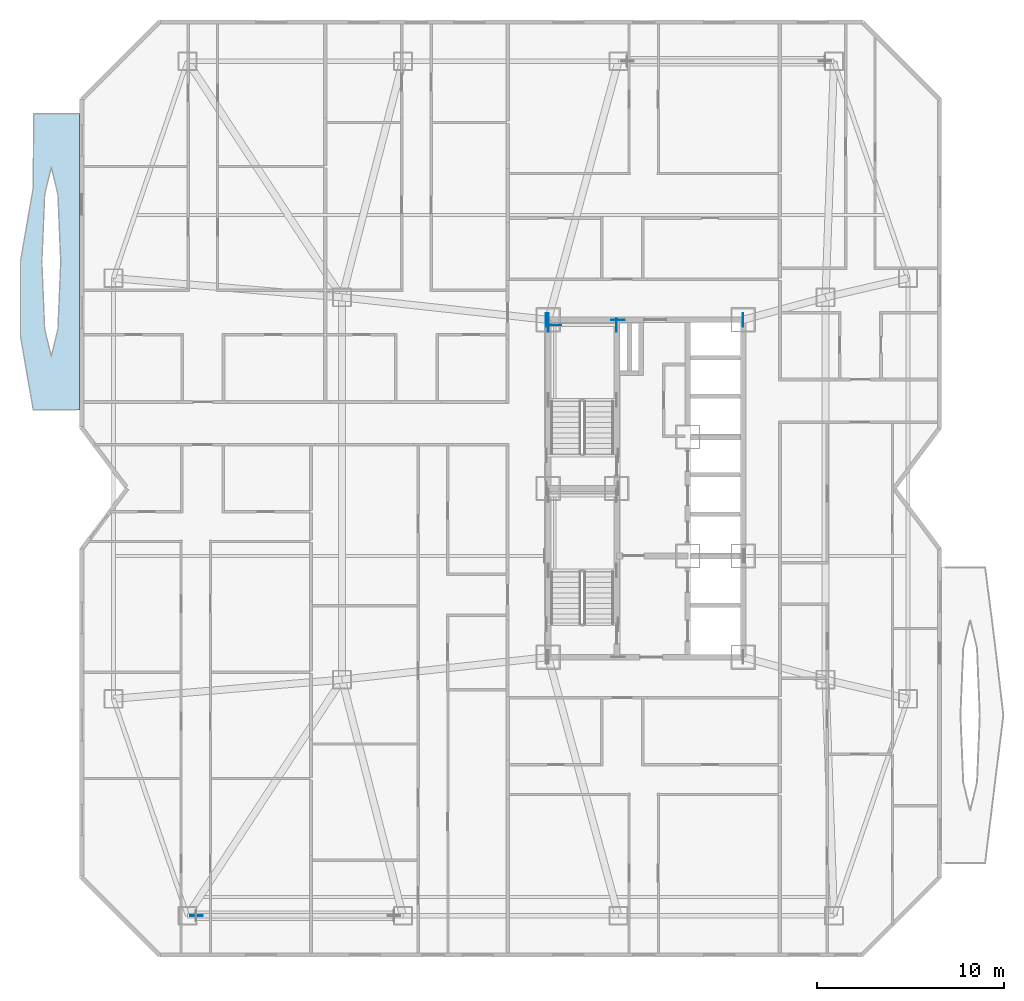
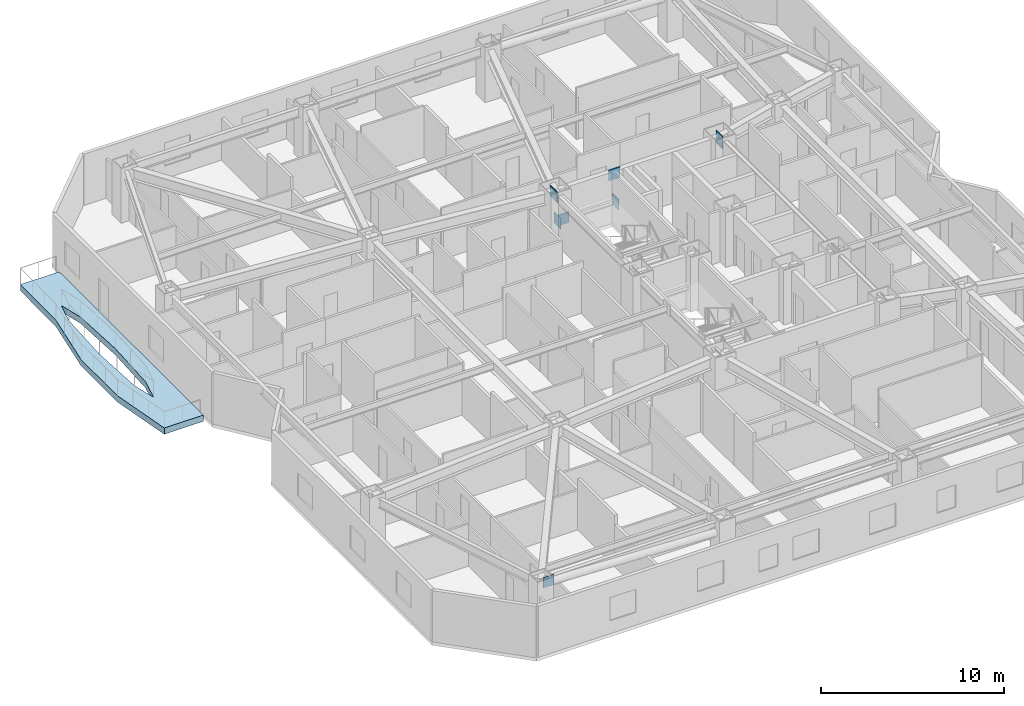
# One storey, part 5 of 16: 9 plates, 1 slab.
"""IFC4 building model written with IfcOpenShell, lengths in metres."""

from ifc_helpers import new_model, si_unit, direction, frame, origin, origin_2d, place, context, subcontext, project, spatial, polyline, rectangle, outline, extrude, material, layer, layer_set, type_object, element, save


model = new_model("IFC4")

# Units and contexts
model_context = context("Model", 3, precision=1e-05, world=origin(), true_north=direction((0.0, 1.0)))
body_context = subcontext(model_context, "Body", "Model", "MODEL_VIEW")
ifc_project = project(units=[si_unit("LENGTHUNIT", "METRE"), si_unit("AREAUNIT", "SQUARE_METRE"), si_unit("VOLUMEUNIT", "CUBIC_METRE"), si_unit("PLANEANGLEUNIT", "RADIAN"), si_unit("MASSUNIT", "GRAM", prefix="KILO")], contexts=[model_context])

# Site, building, storey
site_placement = place(None, origin())
site = spatial("IfcSite", under=ifc_project, at=site_placement, CompositionType="ELEMENT")
building_placement = place(site_placement, origin())
building = spatial("IfcBuilding", under=site, at=building_placement, Name="Khamvora Tower", CompositionType="ELEMENT")
storey_placement = place(building_placement, frame((0.0, 0.0, 77.10009765625)))
storey = spatial("IfcBuildingStorey", under=building, at=storey_placement, Name="L19", CompositionType="ELEMENT", Elevation=77.10009765625)

# Plates
ifc_material_1 = material(Name="Steel S460", Category="steel")
ifc_layer_1 = layer(ifc_material_1, 0.034912109375)
ifc_layer_set_1 = layer_set([ifc_layer_1], Name="Steel S460")
plate_type_1 = type_object("IfcPlateType", Name="PL-EMB-35", PredefinedType="SHEET", material=ifc_layer_set_1)
for number, where, z_axis, x_axis, name in (
    (1, (29.0, 36.72998046875, 1.1337890625), (0.0, 0.0, 1.0), (1.0, 0.0, 0.0), "L19 core shear wall cast-in embed plate 0568"),
    (2, (32.64990234375, 36.72998046875, 1.1337890625), (0.0, 0.0, 1.0), (1.0, 0.0, 0.0), "L19 core shear wall cast-in embed plate 0569"),
):
    element("IfcPlate", number, at=place(storey_placement, frame(where, z_axis=z_axis, x_axis=x_axis)), inside=storey, type_object=plate_type_1, Name=name, PredefinedType="SHEET", context=body_context, shape_type="SweptSolid", body=[
        extrude(rectangle(XDim=0.034912109375, YDim=0.719970703125, at=origin_2d()), origin(), (0.0, 0.0, 1.0), 0.719970703125),
    ])
plate_1_placement = place(storey_placement, frame((29.35009765625, 36.72998046875, 1.1337890625), z_axis=(0.0, 0.0, 1.0), x_axis=(1.0, 0.0, 0.0)))
element("IfcPlate", 3, at=plate_1_placement, inside=storey, type_object=plate_type_1, Name="L19 core shear wall cast-in embed plate 0570", PredefinedType="SHEET", context=body_context, shape_type="SweptSolid", body=[
    extrude(rectangle(XDim=0.719970703125, YDim=0.034912109375, at=origin_2d()), origin(), (0.0, 0.0, 1.0), 0.719970703125),
])
for number, where, z_axis, x_axis, name in (
    (4, (29.0, 37.0, 2.68408203125), (0.0, 0.0, 1.0), (1.0, 0.0, 0.0), "L19 core shear wall cast-in embed plate 0572"),
    (5, (39.39990234375, 37.0, 2.68408203125), (0.0, 0.0, 1.0), (1.0, 0.0, 0.0), "L19 core shear wall cast-in embed plate 0574"),
    (6, (28.89990234375, 37.0, 2.8037109375), (0.0, 0.0, 1.0), (1.0, 0.0, 0.0), "L19 core shear wall cast-in embed plate 0577"),
):
    element("IfcPlate", number, at=place(storey_placement, frame(where, z_axis=z_axis, x_axis=x_axis)), inside=storey, type_object=plate_type_1, Name=name, PredefinedType="SHEET", context=body_context, shape_type="SweptSolid", body=[
        extrude(rectangle(XDim=0.034912109375, YDim=0.719970703125, at=origin_2d()), origin(), (0.0, 0.0, 1.0), 0.719970703125),
    ])
plate_2_placement = place(storey_placement, frame((32.72998046875, 37.0, 2.8037109375), z_axis=(0.0, 0.0, 1.0), x_axis=(1.0, 0.0, 0.0)))
element("IfcPlate", 7, at=plate_2_placement, inside=storey, type_object=plate_type_1, Name="L19 core shear wall cast-in embed plate 0580", PredefinedType="SHEET", context=body_context, shape_type="SweptSolid", body=[
    extrude(rectangle(XDim=0.719970703125, YDim=0.034912109375, at=origin_2d()), origin(), (0.0, 0.0, 1.0), 0.719970703125),
])
plate_3_placement = place(storey_placement, frame((39.39990234375, 37.0, 2.8037109375), z_axis=(0.0, 0.0, 1.0), x_axis=(1.0, 0.0, 0.0)))
element("IfcPlate", 8, at=plate_3_placement, inside=storey, type_object=plate_type_1, Name="L19 core shear wall cast-in embed plate 0583", PredefinedType="SHEET", context=body_context, shape_type="SweptSolid", body=[
    extrude(rectangle(XDim=0.034912109375, YDim=0.719970703125, at=origin_2d()), origin(), (0.0, 0.0, 1.0), 0.719970703125),
])
ifc_layer_2 = layer(ifc_material_1, 0.0400390625)
ifc_layer_set_2 = layer_set([ifc_layer_2], Name="Steel S460")
plate_type_2 = type_object("IfcPlateType", Name="PLT-GUS-40", PredefinedType="SHEET", material=ifc_layer_set_2)
plate_4_placement = place(storey_placement, frame((10.22998046875, 5.199951171875, 2.76416015625), z_axis=(0.0, 0.0, 1.0), x_axis=(1.0, 0.0, 0.0)))
element("IfcPlate", 9, at=plate_4_placement, inside=storey, type_object=plate_type_2, Name="L19 brace connection node gusset plate 0122", PredefinedType="SHEET", context=body_context, shape_type="SweptSolid", body=[
    extrude(rectangle(XDim=0.679931640625, YDim=0.0400390625, at=origin_2d()), origin(), (0.0, 0.0, 1.0), 0.679931640625),
])

# Slab
ifc_material_2 = material(Name="Concrete C40/50", Category="concrete")
ifc_layer_3 = layer(ifc_material_2, 0.419921875)
ifc_layer_set_3 = layer_set([ifc_layer_3], Name="Concrete C40/50")
slab_type = type_object("IfcSlabType", Name="SLB-GRD-420", PredefinedType="FLOOR", material=ifc_layer_set_3)
slab_placement = place(storey_placement, frame((0.0, 0.0, -0.420166015625)))
element("IfcSlab", 10, at=slab_placement, inside=storey, type_object=slab_type, Name="L19 external lens gallery slab WL2", PredefinedType="FLOOR", context=body_context, shape_type="SweptSolid", body=[
    extrude(outline(polyline([(4.0, 32.199951171875), (4.0, 48.0), (1.549072265625, 48.0), (1.52197265625, 44.050048828125), (0.839111328125, 40.10009765625), (0.840087890625, 36.14990234375), (1.52197265625, 32.199951171875), (4.0, 32.199951171875)]), holes=[polyline([(2.989013671875, 40.10009765625), (2.841064453125, 43.675048828125), (2.485107421875, 45.156005859375), (2.12890625, 43.675048828125), (1.98095703125, 40.10009765625), (2.12890625, 36.52490234375), (2.485107421875, 35.0439453125), (2.841064453125, 36.52490234375), (2.989013671875, 40.10009765625)])]), origin(), (0.0, 0.0, 1.0), 0.420166015625),
])

save(model, "model.ifc")
